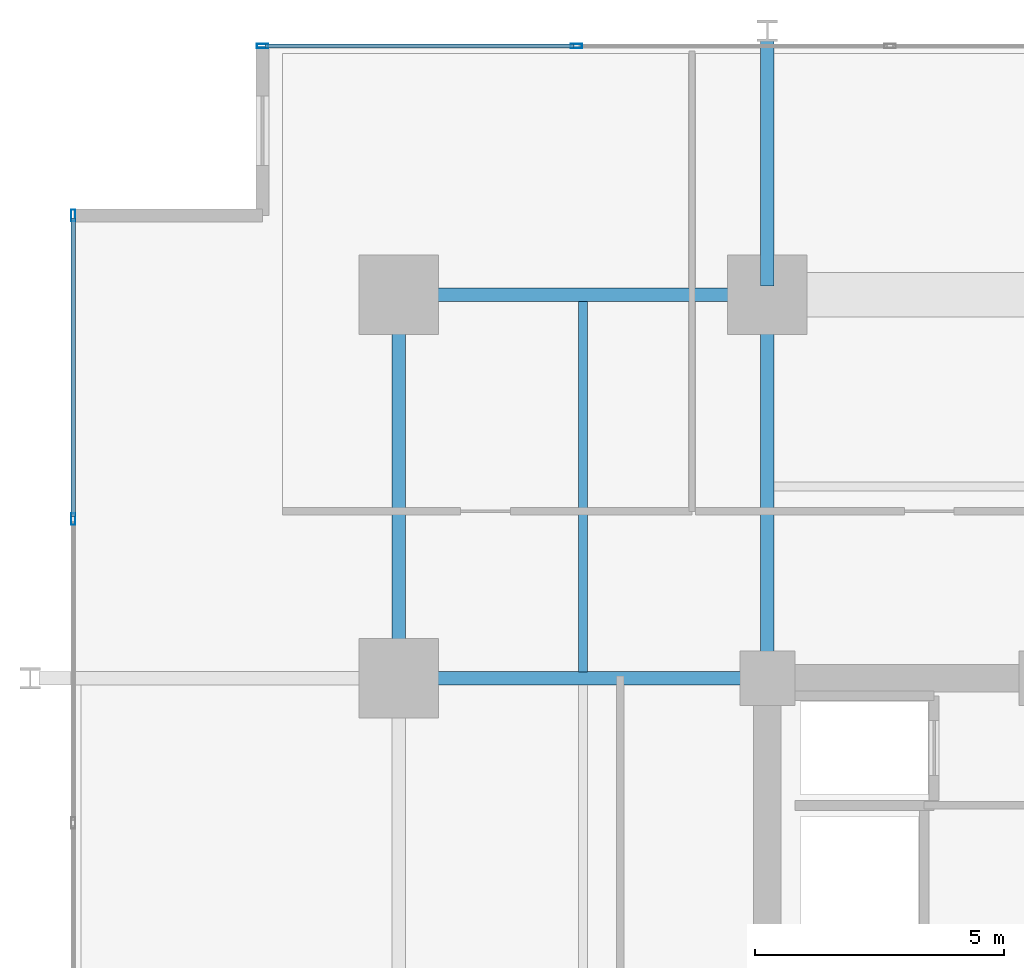
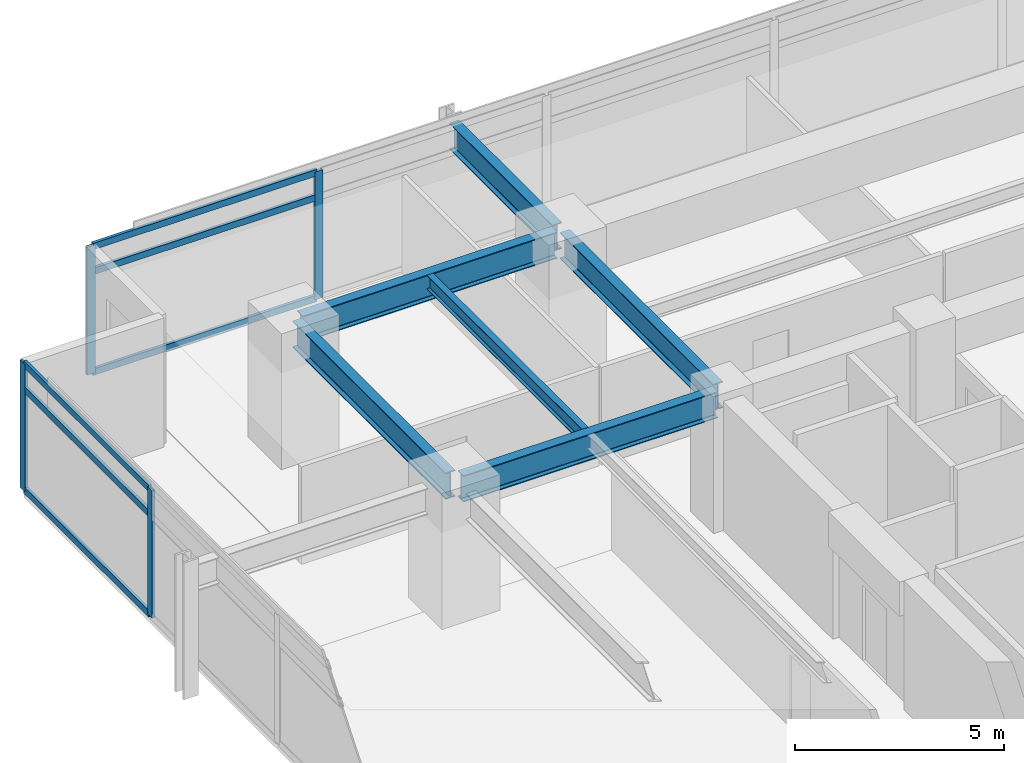
# One storey, part 6 of 21: 10 members, 6 beams, 2 elements without a shape of their own.
"""IFC4 building model written with IfcOpenShell, lengths in metres."""

from ifc_helpers import new_model, si_unit, direction, frame, origin, origin_2d, place, context, subcontext, project, spatial, hollow_rectangle, i_section, extrude, material, material_profile, profile_set, type_object, element, aggregate, save


model = new_model("IFC4")

# Units and contexts
model_context = context("Model", 3, precision=1e-05, world=origin(), true_north=direction((0.0, 1.0)))
body_context = subcontext(model_context, "Body", "Model", "MODEL_VIEW")
ifc_project = project(units=[si_unit("LENGTHUNIT", "METRE"), si_unit("AREAUNIT", "SQUARE_METRE"), si_unit("VOLUMEUNIT", "CUBIC_METRE"), si_unit("PLANEANGLEUNIT", "RADIAN"), si_unit("MASSUNIT", "GRAM", prefix="KILO")], contexts=[model_context])

# Site, building, storey
site_placement = place(None, origin())
site = spatial("IfcSite", under=ifc_project, at=site_placement, CompositionType="ELEMENT")
building_placement = place(site_placement, origin())
building = spatial("IfcBuilding", under=site, at=building_placement, Name="Kovane Verandah Tower", CompositionType="ELEMENT")
storey_placement = place(building_placement, frame((0.0, 0.0, 176.39990234375)))
storey = spatial("IfcBuildingStorey", under=building, at=storey_placement, Name="L41", CompositionType="ELEMENT", Elevation=176.39990234375)

# Beams
ifc_material_1 = material(Name="Steel S355", Category="steel")
ifc_material_profile_1 = material_profile(ifc_material_1, i_section(OverallWidth=0.26806640625, OverallDepth=0.769775390625, WebThickness=0.015625, FlangeThickness=0.025390625, FilletRadius=0.0166015625, at=origin_2d()), Name="UB762x267x197")
ifc_profile_set_1 = profile_set([ifc_material_profile_1], Name="Steel S355")
beam_type_1 = type_object("IfcBeamType", Name="BM-UB762x197", PredefinedType="BEAM", material=ifc_profile_set_1)
beam_1_placement = place(storey_placement, frame((21.780029296875, 44.199951171875, 3.39013671875), z_axis=(1.0, 0.0, 0.0), x_axis=(0.0, 1.0, 0.0)))
element("IfcBeam", 1, at=beam_1_placement, inside=storey, type_object=beam_type_1, Name="L41 Primary Tower Girder G-RN1", PredefinedType="BEAM", context=body_context, shape_type="SweptSolid", body=[
    extrude(i_section(OverallWidth=0.26806640625, OverallDepth=0.769775390625, WebThickness=0.015625, FlangeThickness=0.025390625, FilletRadius=0.0166015625, at=origin_2d()), origin(), (0.0, 0.0, 1.0), 7.0400390625),
])
beam_2_placement = place(storey_placement, frame((21.60009765625, 36.679931640625, 3.39013671875), z_axis=(0.0, 1.0, 0.0), x_axis=(-1.0, 0.0, 0.0)))
element("IfcBeam", 2, at=beam_2_placement, inside=storey, type_object=beam_type_1, Name="L41 Primary Tower Girder G-RW3", PredefinedType="BEAM", context=body_context, shape_type="SweptSolid", body=[
    extrude(i_section(OverallWidth=0.26806640625, OverallDepth=0.769775390625, WebThickness=0.015625, FlangeThickness=0.025390625, FilletRadius=0.0166015625, at=origin_2d()), origin(), (0.0, 0.0, 1.0), 7.340087890625),
])
beam_3_placement = place(storey_placement, frame((28.820068359375, 36.5, 3.39013671875), z_axis=(-1.0, 0.0, 0.0), x_axis=(0.0, -1.0, 0.0)))
element("IfcBeam", 3, at=beam_3_placement, inside=storey, type_object=beam_type_1, Name="L41 Primary Tower Girder G-W2", PredefinedType="BEAM", context=body_context, shape_type="SweptSolid", body=[
    extrude(i_section(OverallWidth=0.26806640625, OverallDepth=0.769775390625, WebThickness=0.015625, FlangeThickness=0.025390625, FilletRadius=0.0166015625, at=origin_2d()), origin(), (0.0, 0.0, 1.0), 7.0400390625),
])
beam_4_placement = place(storey_placement, frame((29.0, 36.679931640625, 3.39013671875), z_axis=(0.0, 1.0, 0.0), x_axis=(-1.0, 0.0, 0.0)))
element("IfcBeam", 4, at=beam_4_placement, inside=storey, type_object=beam_type_1, Name="L41 Primary Tower Girder G-N1", PredefinedType="BEAM", context=body_context, shape_type="SweptSolid", body=[
    extrude(i_section(OverallWidth=0.26806640625, OverallDepth=0.769775390625, WebThickness=0.015625, FlangeThickness=0.025390625, FilletRadius=0.0166015625, at=origin_2d()), origin(), (0.0, 0.0, 1.0), 7.340087890625),
])
beam_5_placement = place(storey_placement, frame((29.0, 44.3798828125, 3.375244140625), z_axis=(0.0, 1.0, 0.0), x_axis=(-1.0, 0.0, 0.0)))
element("IfcBeam", 5, at=beam_5_placement, inside=storey, type_object=beam_type_1, Name="L41 Primary Tower Girder G-VN1", PredefinedType="BEAM", context=body_context, shape_type="SweptSolid", body=[
    extrude(i_section(OverallWidth=0.26806640625, OverallDepth=0.769775390625, WebThickness=0.015625, FlangeThickness=0.025390625, FilletRadius=0.0166015625, at=origin_2d()), origin(), (0.0, 0.0, 1.0), 4.940185546875),
])

# Curtain wall, members
ifc_material_2 = material(Name="Champagne Anodised Aluminium Frame with Low-E Clear Laminated Glass", Category="aluminium")
curtain_wall_type = type_object("IfcCurtainWallType", Name="CW-SYS-03-MID", PredefinedType="NOTDEFINED", material=ifc_material_2)
curtain_wall_1_placement = place(storey_placement, origin())
curtain_wall_1 = element("IfcCurtainWall", 6, at=curtain_wall_1_placement, inside=storey, type_object=curtain_wall_type, Name="L41 N Unitised Curtain Wall", PredefinedType="NOTDEFINED")
ifc_material_3 = material(Name="Champagne Anodised Aluminium 6063-T6", Category="aluminium")
ifc_material_profile_2 = material_profile(ifc_material_3, hollow_rectangle(XDim=0.0849609375, YDim=0.22998046875, WallThickness=0.00390625, at=origin_2d()), Name="AL85x230x4")
ifc_profile_set_2 = profile_set([ifc_material_profile_2], Name="Champagne Anodised Aluminium 6063-T6")
member_type_1 = type_object("IfcMemberType", Name="CW-MUL-85x230", PredefinedType="MULLION", material=ifc_profile_set_2)
member_1_placement = place(storey_placement, frame((25.1630859375, 49.195068359375, 0.02001953125), z_axis=(0.0, 0.0, 1.0), x_axis=(0.0, 1.0, 0.0)))
member_1 = element("IfcMember", 7, at=member_1_placement, type_object=member_type_1, Name="L41 N Unitised Curtain Wall Mullion 7", PredefinedType="MULLION", context=body_context, shape_type="SweptSolid", body=[
    extrude(hollow_rectangle(XDim=0.0849609375, YDim=0.22998046875, WallThickness=0.00390625, at=origin_2d()), origin(), (0.0, 0.0, 1.0), 3.735107421875),
])
member_2_placement = place(storey_placement, frame((18.8642578125, 49.195068359375, 0.02001953125), z_axis=(0.0, 0.0, 1.0), x_axis=(0.0, 1.0, 0.0)))
member_2 = element("IfcMember", 8, at=member_2_placement, type_object=member_type_1, Name="L41 N Unitised Curtain Wall Mullion 8", PredefinedType="MULLION", context=body_context, shape_type="SweptSolid", body=[
    extrude(hollow_rectangle(XDim=0.0849609375, YDim=0.22998046875, WallThickness=0.00390625, at=origin_2d()), origin(), (0.0, 0.0, 1.0), 3.735107421875),
])

curtain_wall_2_placement = place(storey_placement, origin())
curtain_wall_2 = element("IfcCurtainWall", 9, at=curtain_wall_2_placement, inside=storey, type_object=curtain_wall_type, Name="L41 W Unitised Curtain Wall", PredefinedType="NOTDEFINED")
member_3_placement = place(storey_placement, frame((15.064208984375, 45.794921875, 0.02001953125), z_axis=(0.0, 0.0, 1.0), x_axis=(-1.0, 0.0, 0.0)))
member_3 = element("IfcMember", 10, at=member_3_placement, type_object=member_type_1, Name="L41 W Unitised Curtain Wall Mullion 1", PredefinedType="MULLION", context=body_context, shape_type="SweptSolid", body=[
    extrude(hollow_rectangle(XDim=0.0849609375, YDim=0.22998046875, WallThickness=0.00390625, at=origin_2d()), origin(), (0.0, 0.0, 1.0), 3.735107421875),
])
member_4_placement = place(storey_placement, frame((15.064208984375, 39.69677734375, 0.02001953125), z_axis=(0.0, 0.0, 1.0), x_axis=(-1.0, 0.0, 0.0)))
member_4 = element("IfcMember", 11, at=member_4_placement, type_object=member_type_1, Name="L41 W Unitised Curtain Wall Mullion 2", PredefinedType="MULLION", context=body_context, shape_type="SweptSolid", body=[
    extrude(hollow_rectangle(XDim=0.0849609375, YDim=0.22998046875, WallThickness=0.00390625, at=origin_2d()), origin(), (0.0, 0.0, 1.0), 3.735107421875),
])

# Member
ifc_material_profile_3 = material_profile(ifc_material_3, hollow_rectangle(XDim=0.0849609375, YDim=0.18994140625, WallThickness=0.00390625, at=origin_2d()), Name="AL85x190x4")
ifc_profile_set_3 = profile_set([ifc_material_profile_3], Name="Champagne Anodised Aluminium 6063-T6")
member_type_2 = type_object("IfcMemberType", Name="CW-TRN-85x190", PredefinedType="USERDEFINED", material=ifc_profile_set_3)
member_5_placement = place(storey_placement, frame((25.113037109375, 49.195068359375, 0.050048828125), z_axis=(-1.0, 0.0, 0.0), x_axis=(0.0, -1.0, 0.0)))
member_5 = element("IfcMember", 12, at=member_5_placement, type_object=member_type_2, Name="L41 N Unitised Curtain Wall Transom TB Bay 7", ObjectType="TRANSOM", PredefinedType="USERDEFINED", context=body_context, shape_type="SweptSolid", body=[
    extrude(hollow_rectangle(XDim=0.0849609375, YDim=0.18994140625, WallThickness=0.00390625, at=origin_2d()), origin(), (0.0, 0.0, 1.0), 6.19873046875),
])

member_6_placement = place(storey_placement, frame((25.113037109375, 49.195068359375, 2.9951171875), z_axis=(-1.0, 0.0, 0.0), x_axis=(0.0, -1.0, 0.0)))
member_6 = element("IfcMember", 13, at=member_6_placement, type_object=member_type_2, Name="L41 N Unitised Curtain Wall Transom TM Bay 7", ObjectType="TRANSOM", PredefinedType="USERDEFINED", context=body_context, shape_type="SweptSolid", body=[
    extrude(hollow_rectangle(XDim=0.0849609375, YDim=0.18994140625, WallThickness=0.00390625, at=origin_2d()), origin(), (0.0, 0.0, 1.0), 6.19873046875),
])

member_7_placement = place(storey_placement, frame((25.113037109375, 49.195068359375, 3.72509765625), z_axis=(-1.0, 0.0, 0.0), x_axis=(0.0, -1.0, 0.0)))
member_7 = element("IfcMember", 14, at=member_7_placement, type_object=member_type_2, Name="L41 N Unitised Curtain Wall Transom TT Bay 7", ObjectType="TRANSOM", PredefinedType="USERDEFINED", context=body_context, shape_type="SweptSolid", body=[
    extrude(hollow_rectangle(XDim=0.0849609375, YDim=0.18994140625, WallThickness=0.00390625, at=origin_2d()), origin(), (0.0, 0.0, 1.0), 6.19873046875),
])

aggregate(curtain_wall_1, [member_1, member_2, member_5, member_6, member_7])

member_8_placement = place(storey_placement, frame((15.064208984375, 45.7451171875, 0.050048828125), z_axis=(0.0, -1.0, 0.0), x_axis=(1.0, 0.0, 0.0)))
member_8 = element("IfcMember", 15, at=member_8_placement, type_object=member_type_2, Name="L41 W Unitised Curtain Wall Transom TB Bay 1", ObjectType="TRANSOM", PredefinedType="USERDEFINED", context=body_context, shape_type="SweptSolid", body=[
    extrude(hollow_rectangle(XDim=0.0849609375, YDim=0.18994140625, WallThickness=0.00390625, at=origin_2d()), origin(), (0.0, 0.0, 1.0), 5.99853515625),
])

member_9_placement = place(storey_placement, frame((15.064208984375, 45.7451171875, 2.9951171875), z_axis=(0.0, -1.0, 0.0), x_axis=(1.0, 0.0, 0.0)))
member_9 = element("IfcMember", 16, at=member_9_placement, type_object=member_type_2, Name="L41 W Unitised Curtain Wall Transom TM Bay 1", ObjectType="TRANSOM", PredefinedType="USERDEFINED", context=body_context, shape_type="SweptSolid", body=[
    extrude(hollow_rectangle(XDim=0.0849609375, YDim=0.18994140625, WallThickness=0.00390625, at=origin_2d()), origin(), (0.0, 0.0, 1.0), 5.99853515625),
])

member_10_placement = place(storey_placement, frame((15.064208984375, 45.7451171875, 3.72509765625), z_axis=(0.0, -1.0, 0.0), x_axis=(1.0, 0.0, 0.0)))
member_10 = element("IfcMember", 17, at=member_10_placement, type_object=member_type_2, Name="L41 W Unitised Curtain Wall Transom TT Bay 1", ObjectType="TRANSOM", PredefinedType="USERDEFINED", context=body_context, shape_type="SweptSolid", body=[
    extrude(hollow_rectangle(XDim=0.0849609375, YDim=0.18994140625, WallThickness=0.00390625, at=origin_2d()), origin(), (0.0, 0.0, 1.0), 5.99853515625),
])

aggregate(curtain_wall_2, [member_3, member_4, member_8, member_9, member_10])

# Beam
ifc_material_profile_4 = material_profile(ifc_material_1, i_section(OverallWidth=0.179443359375, OverallDepth=0.412841796875, WebThickness=0.009521484375, FlangeThickness=0.01611328125, FilletRadius=0.01025390625, at=origin_2d()), Name="UB406x178x74")
ifc_profile_set_4 = profile_set([ifc_material_profile_4], Name="Steel S355")
beam_type_2 = type_object("IfcBeamType", Name="JST-UB406x74", PredefinedType="JOIST", material=ifc_profile_set_4)
beam_6_placement = place(storey_placement, frame((25.300048828125, 36.632080078125, 3.568603515625), z_axis=(0.0, 1.0, 0.0), x_axis=(-1.0, 0.0, 0.0)))
element("IfcBeam", 18, at=beam_6_placement, inside=storey, type_object=beam_type_2, Name="L41 Secondary Composite Joist J-NW1", PredefinedType="JOIST", context=body_context, shape_type="SweptSolid", body=[
    extrude(i_section(OverallWidth=0.179443359375, OverallDepth=0.412841796875, WebThickness=0.009521484375, FlangeThickness=0.01611328125, FilletRadius=0.01025390625, at=origin_2d()), origin(), (0.0, 0.0, 1.0), 7.43603515625),
])

save(model, "model.ifc")
